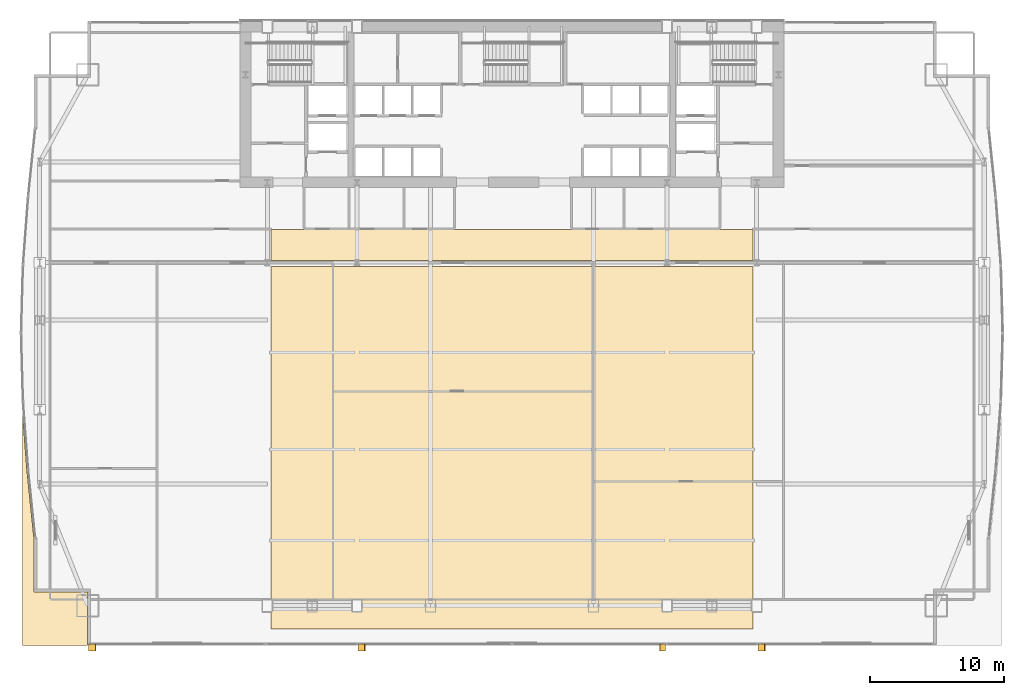
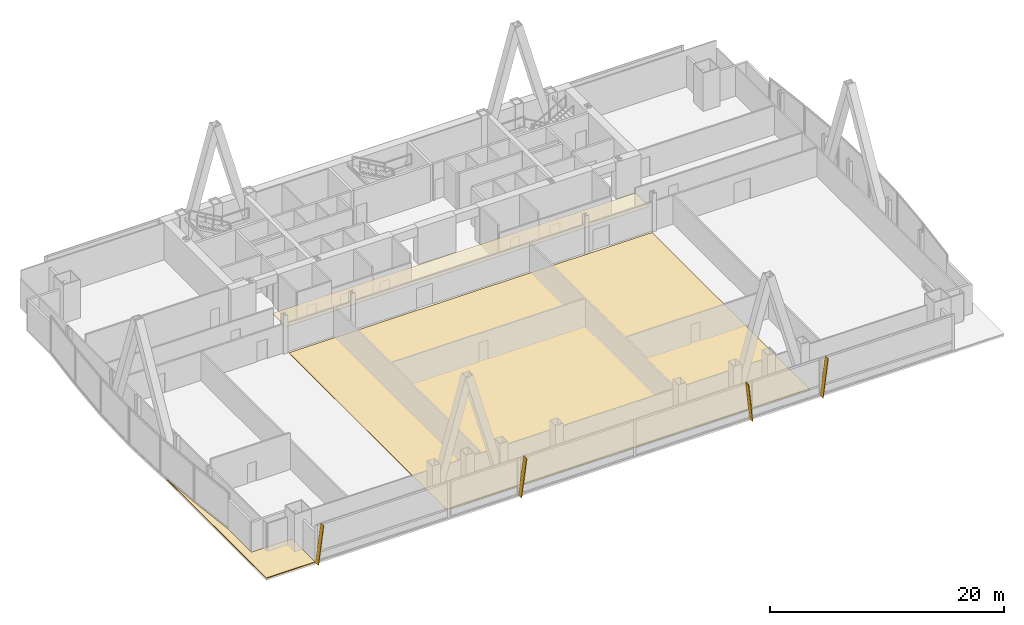
# One storey, part 33 of 35: 4 shading devices, 3 coverings.
"""IFC4 building model written with IfcOpenShell, lengths in metres."""

from ifc_helpers import new_model, si_unit, direction, frame, origin, place, context, subcontext, project, spatial, polyline, outline, extrude, material, layer, layer_set, type_object, element, save


model = new_model("IFC4")

# Units and contexts
model_context = context("Model", 3, precision=1e-05, world=origin(), true_north=direction((0.0, 1.0)))
body_context = subcontext(model_context, "Body", "Model", "MODEL_VIEW")
ifc_project = project(units=[si_unit("LENGTHUNIT", "METRE"), si_unit("AREAUNIT", "SQUARE_METRE"), si_unit("VOLUMEUNIT", "CUBIC_METRE"), si_unit("PLANEANGLEUNIT", "RADIAN"), si_unit("MASSUNIT", "GRAM", prefix="KILO")], contexts=[model_context])

# Site, building, storey
site_placement = place(None, origin())
site = spatial("IfcSite", under=ifc_project, at=site_placement, CompositionType="ELEMENT")
building_placement = place(site_placement, origin())
building = spatial("IfcBuilding", under=site, at=building_placement, Name="Khoronbel Lancet Exchange", CompositionType="ELEMENT")
storey_placement = place(building_placement, frame((0.0, 0.0, 25.800048828125)))
storey = spatial("IfcBuildingStorey", under=building, at=storey_placement, Name="L05", CompositionType="ELEMENT", Elevation=25.800048828125)

# Coverings
ifc_material_1 = material(Name="Micro-Perforated Bronze Acoustic Metal Ceiling Tile", Category="aluminium")
ifc_layer_1 = layer(ifc_material_1, 0.0400390625, Name="Micro-Perforated Bronze Acoustic Metal Ceiling Tile")
ifc_layer_set_1 = layer_set([ifc_layer_1], Name="Micro-Perforated Bronze Acoustic Metal Ceiling Tile")
covering_type_1 = type_object("IfcCoveringType", Name="COV-CEIL1", PredefinedType="CEILING", material=ifc_layer_set_1)
covering_1_placement = place(storey_placement, frame((0.0, 0.0, 2.43994140625)))
element("IfcCovering", 1, at=covering_1_placement, inside=storey, type_object=covering_type_1, Name="Level L05 corridor acoustic metal ceiling", PredefinedType="CEILING", context=body_context, shape_type="SweptSolid", body=[
    extrude(outline(polyline([(18.5, 35.85009765625), (54.39990234375, 35.85009765625), (54.39990234375, 38.179931640625), (18.5, 38.179931640625), (18.5, 35.85009765625)])), origin(), (0.0, 0.0, 1.0), 0.0400390625),
])
ifc_material_2 = material(Name="Honed Egyptian Galala Marble & Raised Access Floor Finish", Category="masonry")
ifc_layer_2 = layer(ifc_material_2, 0.030029296875, Name="Honed Egyptian Galala Marble & Raised Access Floor Finish")
ifc_layer_set_2 = layer_set([ifc_layer_2], Name="Honed Egyptian Galala Marble & Raised Access Floor Finish")
covering_type_2 = type_object("IfcCoveringType", Name="COV-FLR1", PredefinedType="FLOORING", material=ifc_layer_set_2)
covering_2_placement = place(storey_placement, origin())
element("IfcCovering", 2, at=covering_2_placement, inside=storey, type_object=covering_type_2, Name="Level L05 anti-static raised access floor finish", PredefinedType="FLOORING", context=body_context, shape_type="SweptSolid", body=[
    extrude(outline(polyline([(18.5, 8.39990234375), (54.39990234375, 8.39990234375), (54.39990234375, 35.39990234375), (18.5, 35.39990234375), (18.5, 8.39990234375)])), origin(), (0.0, 0.0, 1.0), 0.030029296875),
])
ifc_material_3 = material(Name="Standing-Seam Bronze & SBS Waterproofing Assembly", Category="aluminium")
ifc_layer_3 = layer(ifc_material_3, 0.080078125, Name="Standing-Seam Bronze & SBS Waterproofing Assembly")
ifc_layer_set_3 = layer_set([ifc_layer_3], Name="Standing-Seam Bronze & SBS Waterproofing Assembly")
covering_type_3 = type_object("IfcCoveringType", Name="COV-ROOF1", PredefinedType="ROOFING", material=ifc_layer_set_3)
covering_3_placement = place(storey_placement, origin())
element("IfcCovering", 3, at=covering_3_placement, inside=storey, type_object=covering_type_3, Name="Level L05 setback roof slab 1 insulated roofing assembly", PredefinedType="ROOFING", context=body_context, shape_type="SweptSolid", body=[
    extrude(outline(polyline([(0.0, 24.31689453125), (0.30517578125, 20.28173828125), (0.30517578125, 20.28125), (0.830078125, 15.198974609375), (0.830078125, 11.199951171875), (0.830078125, 11.197998046875), (0.830322265625, 11.196044921875), (0.830810546875, 11.194091796875), (0.83154296875, 11.1923828125), (0.83251953125, 11.190673828125), (0.83349609375, 11.18896484375), (0.83447265625, 11.187255859375), (0.8359375, 11.185791015625), (0.83740234375, 11.1845703125), (0.8388671875, 11.183349609375), (0.840576171875, 11.182373046875), (0.84228515625, 11.181396484375), (0.84423828125, 11.180908203125), (0.84619140625, 11.180419921875), (0.847900390625, 11.18017578125), (0.85009765625, 11.179931640625), (4.830078125, 11.179931640625), (4.830078125, 7.199951171875), (0.0, 7.199951171875), (0.0, 24.31689453125)])), origin(), (0.0, 0.0, 1.0), 0.079833984375),
])

# Shading devices
ifc_material_4 = material(Name="Bronze-Anodised Aluminium 6063-T6", Category="aluminium")
ifc_layer_4 = layer(ifc_material_4, 0.054931640625, Name="Bronze-Anodised Aluminium 6063-T6")
ifc_layer_set_4 = layer_set([ifc_layer_4], Name="Bronze-Anodised Aluminium 6063-T6")
shading_device_type = type_object("IfcShadingDeviceType", Name="SHD-FIN1", PredefinedType="USERDEFINED", material=ifc_layer_set_4)
for number, where, z_axis, x_axis, name in (
    (4, (4.91259765625, 7.31005859375, -0.080078125), (-0.991889216598, 0.0, 0.127105397195), (0.0, -1.0, 0.0), "Slanted bronze solar fin CW-L05-SWV-0"),
    (5, (24.972412109375, 7.31005859375, -0.080078125), (-0.991881465906, 0.0, 0.127165866462), (0.0, -1.0, 0.0), "Slanted bronze solar fin CW-L05-SCV-0"),
):
    element("IfcShadingDevice", number, at=place(storey_placement, frame(where, z_axis=z_axis, x_axis=x_axis)), inside=storey, type_object=shading_device_type, Name=name, ObjectType="FIN", PredefinedType="USERDEFINED", context=body_context, shape_type="SweptSolid", body=[
        extrude(outline(polyline([(0.0, 0.0), (0.52001953125, 0.0), (0.52001953125, 3.97216796875), (0.0, 3.97216796875), (0.0, 0.0)])), origin(), (0.0, 0.0, -1.0), 0.054931640625),
    ])
shading_device_1_placement = place(storey_placement, frame((47.87255859375, 7.31005859375, -0.080078125), z_axis=(0.995011517869, 0.0, 0.099760108806), x_axis=(0.0, -1.0, 0.0)))
element("IfcShadingDevice", 6, at=shading_device_1_placement, inside=storey, type_object=shading_device_type, Name="Slanted bronze solar fin CW-L05-SCV-2", ObjectType="FIN", PredefinedType="USERDEFINED", context=body_context, shape_type="SweptSolid", body=[
    extrude(outline(polyline([(0.0, 0.0), (0.52001953125, 0.0), (0.52001953125, -3.959716796875), (0.0, -3.959716796875), (0.0, 0.0)])), origin(), (0.0, 0.0, -1.0), 0.054931640625),
])
shading_device_2_placement = place(storey_placement, frame((54.7724609375, 7.31005859375, -0.080078125), z_axis=(-0.991881465906, 0.0, 0.127165866462), x_axis=(0.0, -1.0, 0.0)))
element("IfcShadingDevice", 7, at=shading_device_2_placement, inside=storey, type_object=shading_device_type, Name="Slanted bronze solar fin CW-L05-SEV-0", ObjectType="FIN", PredefinedType="USERDEFINED", context=body_context, shape_type="SweptSolid", body=[
    extrude(outline(polyline([(0.0, 0.0), (0.52001953125, 0.0), (0.52001953125, 3.97216796875), (0.0, 3.97216796875), (0.0, 0.0)])), origin(), (0.0, 0.0, -1.0), 0.054931640625),
])

save(model, "model.ifc")
